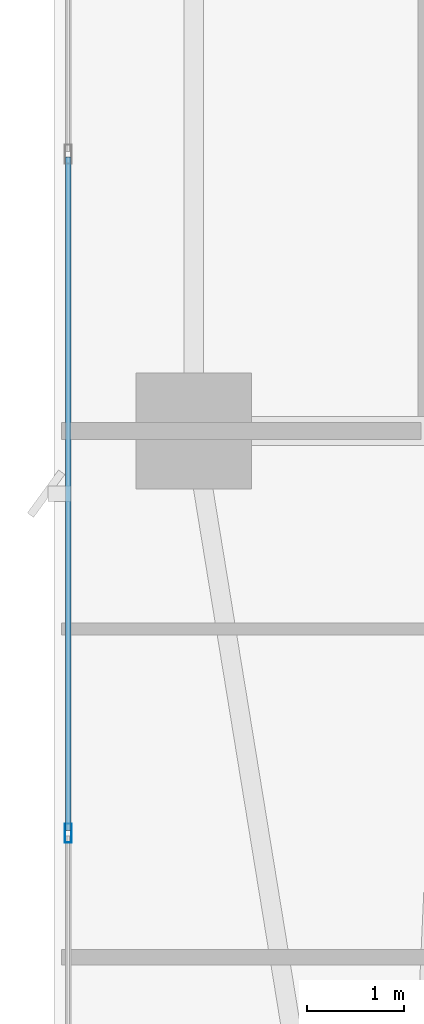
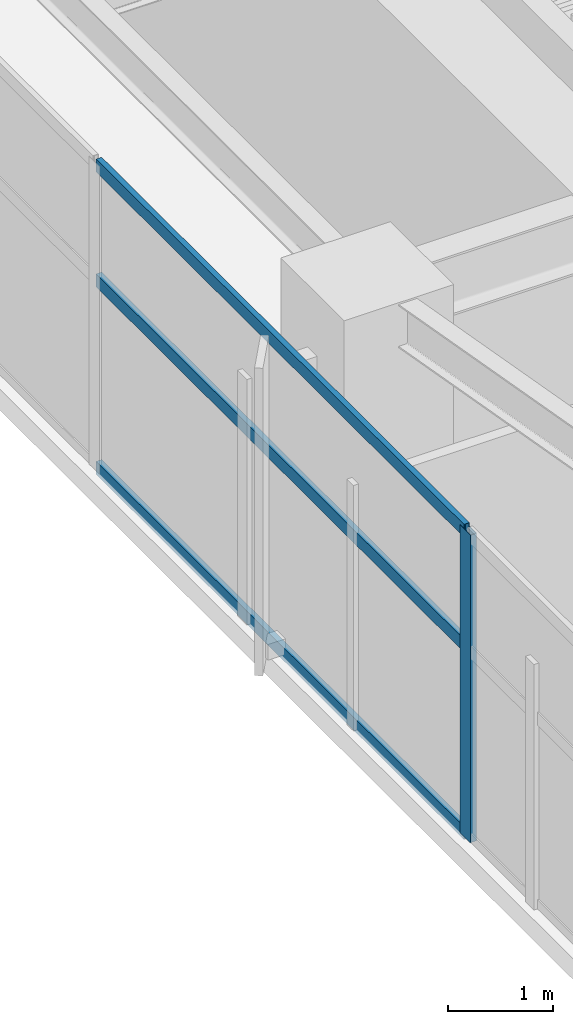
# One storey, part 4 of 28: 4 members, 1 element without a shape of its own.
"""IFC4 building model written with IfcOpenShell, lengths in metres."""

from ifc_helpers import new_model, si_unit, direction, frame, origin, origin_2d, place, context, subcontext, project, spatial, hollow_rectangle, extrude, material, layer, layer_set, material_profile, profile_set, type_object, element, aggregate, save


model = new_model("IFC4")

# Units and contexts
model_context = context("Model", 3, precision=1e-05, world=origin(), true_north=direction((0.0, 1.0)))
body_context = subcontext(model_context, "Body", "Model", "MODEL_VIEW")
ifc_project = project(units=[si_unit("LENGTHUNIT", "METRE"), si_unit("AREAUNIT", "SQUARE_METRE"), si_unit("VOLUMEUNIT", "CUBIC_METRE"), si_unit("PLANEANGLEUNIT", "RADIAN"), si_unit("MASSUNIT", "GRAM", prefix="KILO")], contexts=[model_context])

# Site, building, storey
site_placement = place(None, origin())
site = spatial("IfcSite", under=ifc_project, at=site_placement, CompositionType="ELEMENT")
building_placement = place(site_placement, origin())
building = spatial("IfcBuilding", under=site, at=building_placement, Name="Calvorn Quay Hotel", CompositionType="ELEMENT")
storey_placement = place(building_placement, frame((0.0, 0.0, 108.800048828125)))
storey = spatial("IfcBuildingStorey", under=building, at=storey_placement, Name="L26", CompositionType="ELEMENT", Elevation=108.800048828125)

# Curtain wall, members
ifc_material_1 = material(Name="Pale Anodised Aluminium and Low-E Glass", Category="aluminium")
ifc_layer = layer(ifc_material_1, 0.219970703125)
ifc_layer_set = layer_set([ifc_layer], Name="CW-SYS-Z2")
curtain_wall_type = type_object("IfcCurtainWallType", Name="CW-SYS-Z2", PredefinedType="NOTDEFINED", material=ifc_layer_set)
curtain_wall_placement = place(storey_placement, origin())
curtain_wall = element("IfcCurtainWall", 1, at=curtain_wall_placement, inside=storey, type_object=curtain_wall_type, Name="Tower West Curtain Wall (L26)", PredefinedType="NOTDEFINED")
ifc_material_2 = material(Name="Pale Anodised Aluminium 6063-T6", Category="aluminium")
ifc_material_profile_1 = material_profile(ifc_material_2, hollow_rectangle(XDim=0.070068359375, YDim=0.199951171875, WallThickness=0.00390625, at=origin_2d()), Name="ALU-M200x70x4")
ifc_profile_set_1 = profile_set([ifc_material_profile_1], Name="Pale Anodised Aluminium 6063-T6")
member_type_1 = type_object("IfcMemberType", Name="CW-SYS-Z2-MUL", PredefinedType="MULLION", material=ifc_profile_set_1)
member_1_placement = place(storey_placement, frame((0.14990234375, 12.63330078125, 0.0), z_axis=(0.0, 0.0, 1.0), x_axis=(-1.0, 0.0, 0.0)))
member_1 = element("IfcMember", 2, at=member_1_placement, type_object=member_type_1, Name="CW-L26-W mullion 2", PredefinedType="MULLION", context=body_context, shape_type="SweptSolid", body=[
    extrude(hollow_rectangle(XDim=0.070068359375, YDim=0.199951171875, WallThickness=0.00390625, at=origin_2d()), origin(), (0.0, 0.0, 1.0), 3.56005859375),
])
ifc_material_3 = material(Name="Pale Anodised Aluminium 6063-T6", Category="aluminium")
ifc_material_profile_2 = material_profile(ifc_material_3, hollow_rectangle(XDim=0.06005859375, YDim=0.14990234375, WallThickness=0.00341796875, at=origin_2d()), Name="ALU-T150x60x3.5")
ifc_profile_set_2 = profile_set([ifc_material_profile_2], Name="Pale Anodised Aluminium 6063-T6")
member_type_2 = type_object("IfcMemberType", Name="CW-SYS-Z2-TRN", PredefinedType="USERDEFINED", material=ifc_profile_set_2)
member_2_placement = place(storey_placement, frame((0.14990234375, 12.663330078125, 0.030029296875), z_axis=(0.0, 1.0, 0.0), x_axis=(-1.0, 0.0, 0.0)))
member_2 = element("IfcMember", 3, at=member_2_placement, type_object=member_type_2, Name="CW-L26-W transom 2.1", ObjectType="TRANSOM", PredefinedType="USERDEFINED", context=body_context, shape_type="SweptSolid", body=[
    extrude(hollow_rectangle(XDim=0.06005859375, YDim=0.14990234375, WallThickness=0.00341796875, at=origin_2d()), origin(), (0.0, 0.0, 1.0), 6.973388671875),
])
member_3_placement = place(storey_placement, frame((0.14990234375, 12.663330078125, 2.199951171875), z_axis=(0.0, 1.0, 0.0), x_axis=(-1.0, 0.0, 0.0)))
member_3 = element("IfcMember", 4, at=member_3_placement, type_object=member_type_2, Name="CW-L26-W transom 2.2", ObjectType="TRANSOM", PredefinedType="USERDEFINED", context=body_context, shape_type="SweptSolid", body=[
    extrude(hollow_rectangle(XDim=0.06005859375, YDim=0.14990234375, WallThickness=0.00341796875, at=origin_2d()), origin(), (0.0, 0.0, 1.0), 6.973388671875),
])
member_4_placement = place(storey_placement, frame((0.14990234375, 12.663330078125, 3.530029296875), z_axis=(0.0, 1.0, 0.0), x_axis=(-1.0, 0.0, 0.0)))
member_4 = element("IfcMember", 5, at=member_4_placement, type_object=member_type_2, Name="CW-L26-W transom 2.3", ObjectType="TRANSOM", PredefinedType="USERDEFINED", context=body_context, shape_type="SweptSolid", body=[
    extrude(hollow_rectangle(XDim=0.06005859375, YDim=0.14990234375, WallThickness=0.00341796875, at=origin_2d()), origin(), (0.0, 0.0, 1.0), 6.973388671875),
])
aggregate(curtain_wall, [member_1, member_2, member_3, member_4])

save(model, "model.ifc")
